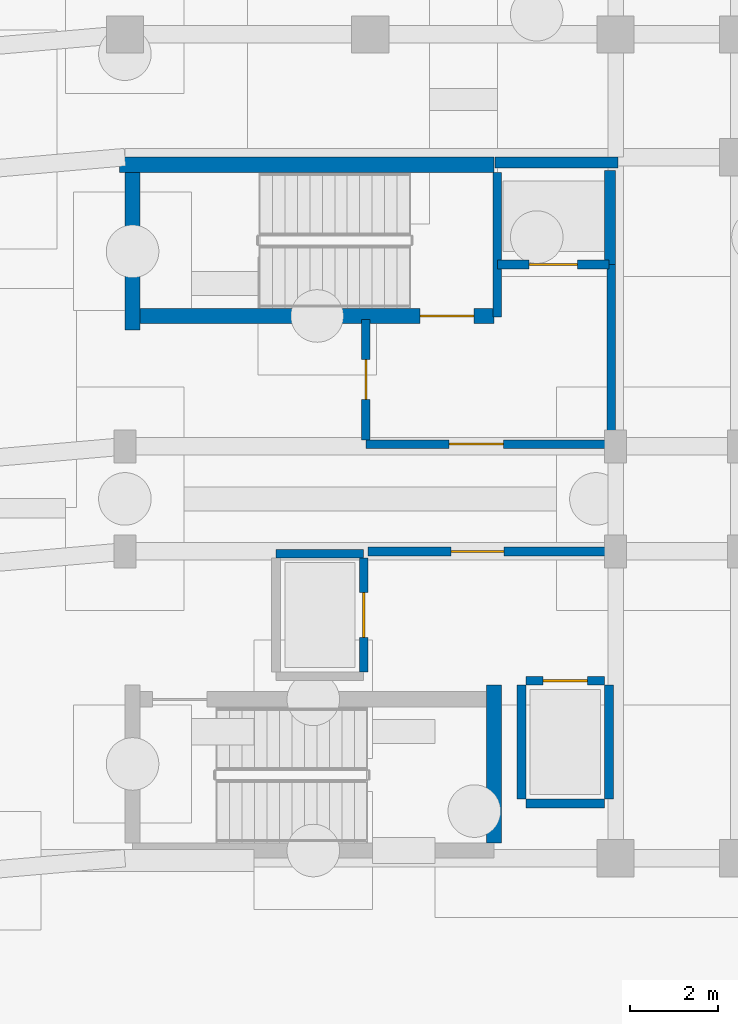
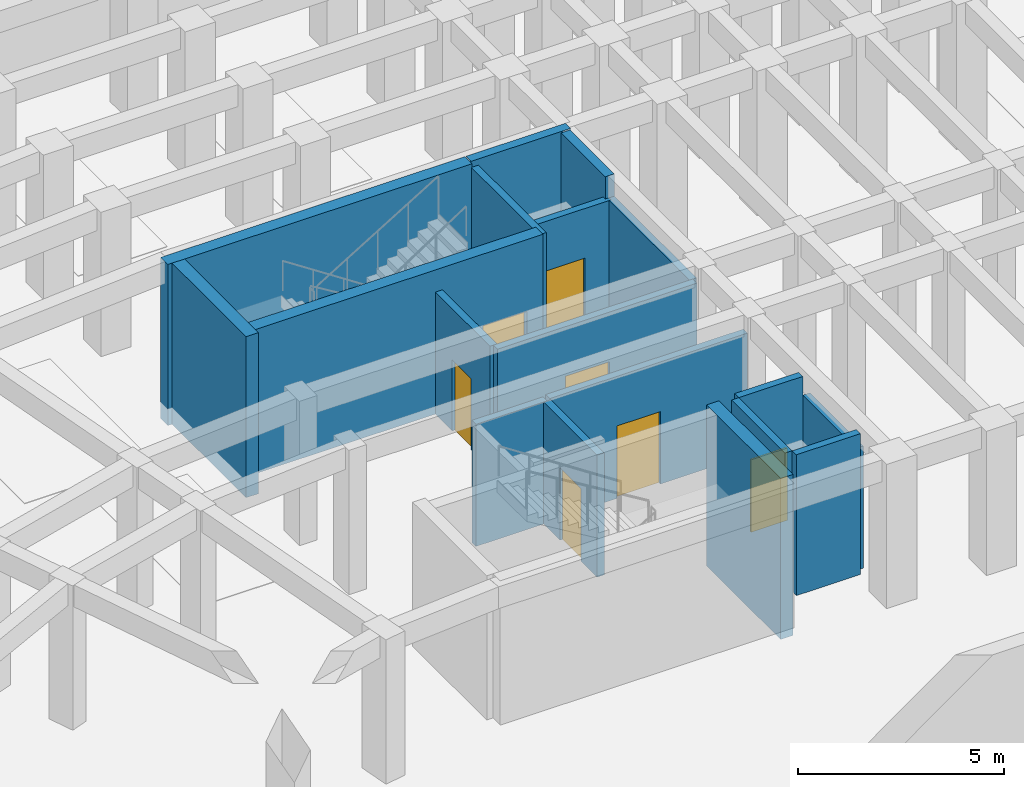
# One storey, part 34 of 53: 18 walls, 7 doors, 7 openings.
"""IFC4 building model written with IfcOpenShell, lengths in metres."""

import ifcopenshell
import ifcopenshell.guid

model = None  # the IFC model being written
_history = None  # IfcOwnerHistory: only IFC2X3 demands one
_inside = {}  # id of a spatial element -> (the spatial element, [elements in it])
_under = {}  # id of a project, library or spatial element -> (it, [spatial elements below it])
_declared = {}  # id of a project -> (the project, [libraries it declares])
_typed = {}  # id of a type object -> (the type object, [elements of that type])
_made_of = {}  # id of a material, layer set ... -> (it, [elements and type objects made of it])


def new_model(schema):
    """Start an empty IFC model of exactly this schema.

    Asked for "IFC4X3", IfcOpenShell would pick the latest addendum, in which some entities
    have other attributes; the version numbers below select the first issue.
    IFC2X3 requires an IfcOwnerHistory on every rooted entity: one is made here for all.
    """
    global model, _history
    if schema == "IFC4X3":
        model = ifcopenshell.file(schema_version=(4, 3, 0, 0))
    else:
        model = ifcopenshell.file(schema=schema)
    _inside.clear()
    _under.clear()
    _declared.clear()
    _typed.clear()
    _made_of.clear()
    _history = None
    if model.schema == "IFC2X3":
        org = make("IfcOrganization", Name="unknown")
        user = make(
            "IfcPersonAndOrganization",
            ThePerson=make("IfcPerson", FamilyName="unknown"),
            TheOrganization=org,
        )
        app = make(
            "IfcApplication",
            ApplicationDeveloper=org,
            Version="unknown",
            ApplicationFullName="unknown",
            ApplicationIdentifier="unknown",
        )
        _history = make(
            "IfcOwnerHistory",
            OwningUser=user,
            OwningApplication=app,
            ChangeAction="ADDED",
            CreationDate=0,
        )
    return model


def make(cls, **values):
    """One entity of the class cls with the attributes given. An attribute that is None is left unset."""
    return model.create_entity(
        cls, **{name: value for name, value in values.items() if value is not None}
    )


def rooted(cls, **values):
    """An entity with a GlobalId (a new one), such as an element, a storey or a relation."""
    return make(cls, GlobalId=ifcopenshell.guid.new(), OwnerHistory=_history, **values)


def si_unit(unit_type, name, prefix=None):
    """IfcSIUnit, for example si_unit("LENGTHUNIT", "METRE", prefix="MILLI")."""
    return make("IfcSIUnit", UnitType=unit_type, Prefix=prefix, Name=name)


def assignment(units):
    """IfcUnitAssignment: the units of a project."""
    return None if units is None else make("IfcUnitAssignment", Units=units)


def point(xyz):
    """IfcCartesianPoint."""
    return None if xyz is None else make("IfcCartesianPoint", Coordinates=xyz)


def direction(xyz):
    """IfcDirection."""
    return None if xyz is None else make("IfcDirection", DirectionRatios=xyz)


def frame(location, z_axis=None, x_axis=None):
    """IfcAxis2Placement3D, a coordinate frame: its origin and axes. An axis left out is left unset."""
    return make(
        "IfcAxis2Placement3D",
        Location=point(location),
        Axis=direction(z_axis),
        RefDirection=direction(x_axis),
    )


def frame_2d(location, x_axis=None):
    """IfcAxis2Placement2D, a coordinate frame in the plane: its origin and x axis."""
    return make(
        "IfcAxis2Placement2D", Location=point(location), RefDirection=direction(x_axis)
    )


def origin():
    """The frame at (0, 0, 0) with its axes left unset."""
    return frame((0.0, 0.0, 0.0))


def place(relative_to, where):
    """IfcLocalPlacement: puts the frame where relative to a parent placement (None: the world)."""
    return make(
        "IfcLocalPlacement", PlacementRelTo=relative_to, RelativePlacement=where
    )


def context(
    kind, dimensions, precision=None, world=None, true_north=None, identifier=None
):
    """IfcGeometricRepresentationContext, for example the 3D "Model" context."""
    return make(
        "IfcGeometricRepresentationContext",
        ContextIdentifier=identifier,
        ContextType=kind,
        CoordinateSpaceDimension=dimensions,
        Precision=precision,
        WorldCoordinateSystem=world,
        TrueNorth=true_north,
    )


def subcontext(parent, identifier, kind, view, scale=None):
    """IfcGeometricRepresentationSubContext, for example "Body" below "Model"."""
    return make(
        "IfcGeometricRepresentationSubContext",
        ContextIdentifier=identifier,
        ContextType=kind,
        ParentContext=parent,
        TargetScale=scale,
        TargetView=view,
    )


def project(units=None, contexts=None):
    """IfcProject with its units and contexts."""
    return rooted(
        "IfcProject",
        Name="project",
        RepresentationContexts=contexts,
        UnitsInContext=assignment(units),
    )


def spatial(cls, under=None, at=None, **own):
    """A site, building, storey or space (cls), placed at a placement, below another one or the project."""
    s = rooted(cls, ObjectPlacement=at, **own)
    if under is not None:
        _under.setdefault(under.id(), (under, []))[1].append(s)
    return s


def profile(cls, at=None, kind="AREA", **sizes):
    """A parametric profile (cls). Its sizes go by their IFC names, for example OverallWidth=200.0."""
    return make(cls, ProfileType=kind, Position=at, **sizes)


def rectangle(**sizes):
    """IfcRectangleProfileDef."""
    return profile("IfcRectangleProfileDef", **sizes)


def extrude(swept, where, along, depth):
    """IfcExtrudedAreaSolid: the profile swept, set in the frame where, extruded along a direction by depth."""
    return make(
        "IfcExtrudedAreaSolid",
        SweptArea=swept,
        Position=where,
        ExtrudedDirection=direction(along),
        Depth=depth,
    )


def shape(context_of_items, identifier, shape_type, items):
    """IfcShapeRepresentation: the items that make up one representation, for example the "Body"."""
    return make(
        "IfcShapeRepresentation",
        ContextOfItems=context_of_items,
        RepresentationIdentifier=identifier,
        RepresentationType=shape_type,
        Items=items,
    )


def material(Name=None, Category=None):
    """IfcMaterial."""
    return make("IfcMaterial", Name=Name, Category=Category)


def layer(
    of_material, thickness, ventilated=None, Name=None, Category=None, Priority=None
):
    """IfcMaterialLayer: one layer of a wall or slab, of a material (None: an air gap)."""
    return make(
        "IfcMaterialLayer",
        Material=of_material,
        LayerThickness=thickness,
        IsVentilated=ventilated,
        Name=Name,
        Category=Category,
        Priority=Priority,
    )


def layer_set(layers, Name=None):
    """IfcMaterialLayerSet."""
    return make("IfcMaterialLayerSet", MaterialLayers=layers, LayerSetName=Name)


def made_of(thing, what):
    """Note that an element or type object is made of a material, layer set ...; save() writes the relation."""
    if what is not None:
        _made_of.setdefault(what.id(), (what, []))[1].append(thing)
    return thing


def type_object(cls, material=None, **own):
    """A type object (cls), such as IfcWallType, which elements share."""
    return made_of(rooted(cls, **own), material)


def element(
    cls,
    number,
    at=None,
    inside=None,
    cuts=None,
    type_object=None,
    material=None,
    context=None,
    identifier="Body",
    shape_type=None,
    held_by="IfcProductDefinitionShape",
    body=None,
    shapes=None,
    **own,
):
    """One element of the class cls, such as IfcWall. Its Tag is "e" and its number.

    at: its placement. inside: the storey or other place that contains it. cuts: it is an
    opening in that element (IfcRelVoidsElement). A single representation is given by context,
    identifier, shape_type and body (its items); several are given by shapes. held_by: the class
    of the entity that holds the representations. save() writes the other relations.
    """
    e = rooted(cls, Tag="e%d" % number, ObjectPlacement=at, **own)
    if body is not None:
        shapes = [shape(context, identifier, shape_type, body)]
    if shapes is not None:
        e.Representation = make(held_by, Representations=shapes)
    if inside is not None:
        _inside.setdefault(inside.id(), (inside, []))[1].append(e)
    if cuts is not None:
        rooted(
            "IfcRelVoidsElement", RelatingBuildingElement=cuts, RelatedOpeningElement=e
        )
    if type_object is not None:
        _typed.setdefault(type_object.id(), (type_object, []))[1].append(e)
    return made_of(e, material)


def fill(opening, filler):
    """IfcRelFillsElement: the door or window that sits in an opening."""
    return rooted(
        "IfcRelFillsElement",
        RelatingOpeningElement=opening,
        RelatedBuildingElement=filler,
    )


def aggregate(whole, parts):
    """IfcRelAggregates: a whole, such as a stair, and the parts it consists of."""
    return rooted("IfcRelAggregates", RelatingObject=whole, RelatedObjects=parts)


def save(model, path):
    """Write the relations noted so far, then the file.

    IfcRelAggregates (storeys below a building ...), IfcRelContainedInSpatialStructure (elements
    in a storey), IfcRelDefinesByType, IfcRelAssociatesMaterial and IfcRelDeclares: one each for
    every whole, place, type object, material and project.
    """
    for whole, parts in _under.values():
        aggregate(whole, parts)
    for where, things in _inside.values():
        rooted(
            "IfcRelContainedInSpatialStructure",
            RelatedElements=things,
            RelatingStructure=where,
        )
    for kind, things in _typed.values():
        rooted("IfcRelDefinesByType", RelatedObjects=things, RelatingType=kind)
    for what, things in _made_of.values():
        rooted("IfcRelAssociatesMaterial", RelatedObjects=things, RelatingMaterial=what)
    for by, libraries in _declared.values():
        rooted("IfcRelDeclares", RelatingContext=by, RelatedDefinitions=libraries)
    model.write(path)


model = new_model("IFC4")

# Units and contexts
model_context = context("Model", 3, precision=1e-05, world=origin(), true_north=direction((0.0, 1.0)))
body_context = subcontext(model_context, "Body", "Model", "MODEL_VIEW")
ifc_project = project(units=[si_unit("LENGTHUNIT", "METRE"), si_unit("AREAUNIT", "SQUARE_METRE"), si_unit("VOLUMEUNIT", "CUBIC_METRE"), si_unit("PLANEANGLEUNIT", "RADIAN"), si_unit("MASSUNIT", "GRAM", prefix="KILO")], contexts=[model_context])

# Site, building, storey
site_placement = place(None, origin())
site = spatial("IfcSite", under=ifc_project, at=site_placement, CompositionType="ELEMENT")
building_placement = place(site_placement, origin())
building = spatial("IfcBuilding", under=site, at=building_placement, Name="Kiranvali Square Residences", CompositionType="ELEMENT")
storey_placement = place(building_placement, frame((0.0, 0.0, -4.5)))
storey = spatial("IfcBuildingStorey", under=building, at=storey_placement, Name="B1", CompositionType="ELEMENT", Elevation=-4.5)

# Wall, opening, door
ifc_material_1 = material(Name="Autoclaved aerated concrete blockwork masonry", Category="masonry")
ifc_layer_1 = layer(ifc_material_1, 0.199951171875)
ifc_layer_set_1 = layer_set([ifc_layer_1], Name="Autoclaved aerated concrete blockwork masonry")
wall_type_1 = type_object("IfcWallType", Name="WL-COR-200", PredefinedType="STANDARD", material=ifc_layer_set_1)
wall_1_placement = place(storey_placement, frame((53.75, 113.60009765625, 0.0), z_axis=(0.0, 0.0, 1.0), x_axis=(1.0, 0.0, 0.0)))
wall_1 = element("IfcWall", 1, at=wall_1_placement, inside=storey, type_object=wall_type_1, Name="B1 architectural wall WL-B1-A-LL-COR", PredefinedType="STANDARD", context=body_context, shape_type="SweptSolid", body=[
    extrude(rectangle(XDim=5.550048828125, YDim=0.199951171875, at=frame_2d((2.77490234375, 0.0))), origin(), (0.0, 0.0, 1.0), 3.6220703125),
])
opening_1_placement = place(wall_1_placement, frame((1.887451171875, 0.0, 0.0)))
opening_1 = element("IfcOpeningElement", 2, at=opening_1_placement, cuts=wall_1, Name="Opening FD-COR-60", PredefinedType="OPENING", context=body_context, shape_type="SweptSolid", body=[
    extrude(rectangle(XDim=1.219970703125, YDim=2.14990234375, at=frame_2d((0.60986328125, 1.074951171875))), frame((0.0, 0.10986328125, 0.0), z_axis=(0.0, -1.0, 0.0), x_axis=(1.0, 0.0, 0.0)), (0.0, 0.0, 1.0), 0.219970703125),
])
ifc_material_2 = material(Name="Fire-rated acoustic hardwood and mineral-core door assembly", Category="wood")
door_type_1 = type_object("IfcDoorType", Name="DR-FD60-1200", OperationType="NOTDEFINED", PredefinedType="DOOR", material=ifc_material_2)
door_1_placement = place(opening_1_placement, origin())
door_1 = element("IfcDoor", 3, at=door_1_placement, inside=storey, type_object=door_type_1, Name="B1 door DR-B1-0009 (DR-FD60-1200)", OperationType="SINGLE_SWING_LEFT", OverallHeight=2.14990234375, OverallWidth=1.219970703125, PredefinedType="DOOR", context=body_context, shape_type="SweptSolid", body=[
    extrude(rectangle(XDim=1.219970703125, YDim=2.14990234375, at=frame_2d((0.60986328125, 1.074951171875))), frame((0.0, 0.02490234375, 0.0), z_axis=(0.0, -1.0, 0.0), x_axis=(1.0, 0.0, 0.0)), (0.0, 0.0, 1.0), 0.050048828125),
])
fill(opening_1, door_1)

ifc_layer_2 = layer(ifc_material_1, 0.199951171875)
ifc_layer_set_2 = layer_set([ifc_layer_2], Name="Autoclaved aerated concrete blockwork masonry")
wall_type_2 = type_object("IfcWallType", Name="WL-FFL-200", PredefinedType="STANDARD", material=ifc_layer_set_2)
wall_2_placement = place(storey_placement, frame((53.699951171875, 116.050048828125, 0.0), z_axis=(0.0, 0.0, 1.0), x_axis=(1.0, 0.0, 0.0)))
wall_2 = element("IfcWall", 4, at=wall_2_placement, inside=storey, type_object=wall_type_2, Name="B1 architectural wall WL-B1-A-FF-COR", PredefinedType="STANDARD", context=body_context, shape_type="SweptSolid", body=[
    extrude(rectangle(XDim=5.60009765625, YDim=0.199951171875, at=frame_2d((2.800048828125, 0.0))), origin(), (0.0, 0.0, 1.0), 3.6220703125),
])
opening_2_placement = place(wall_2_placement, frame((1.89990234375, 0.0, 0.0)))
opening_2 = element("IfcOpeningElement", 5, at=opening_2_placement, cuts=wall_2, Name="Opening FD-ST-120", PredefinedType="OPENING", context=body_context, shape_type="SweptSolid", body=[
    extrude(rectangle(XDim=1.239990234375, YDim=2.14990234375, at=frame_2d((0.6201171875, 1.074951171875))), frame((0.0, 0.10986328125, 0.0), z_axis=(0.0, -1.0, 0.0), x_axis=(1.0, 0.0, 0.0)), (0.0, 0.0, 1.0), 0.219970703125),
])
door_type_2 = type_object("IfcDoorType", Name="DR-FD120-1200", OperationType="NOTDEFINED", PredefinedType="DOOR", material=ifc_material_2)
door_2_placement = place(opening_2_placement, origin())
door_2 = element("IfcDoor", 6, at=door_2_placement, inside=storey, type_object=door_type_2, Name="B1 door DR-B1-0001 (DR-FD120-1200)", OperationType="SINGLE_SWING_LEFT", OverallHeight=2.14990234375, OverallWidth=1.239990234375, PredefinedType="DOOR", context=body_context, shape_type="SweptSolid", body=[
    extrude(rectangle(XDim=1.239990234375, YDim=2.14990234375, at=frame_2d((0.6201171875, 1.074951171875))), frame((0.0, 0.02490234375, 0.0), z_axis=(0.0, -1.0, 0.0), x_axis=(1.0, 0.0, 0.0)), (0.0, 0.0, 1.0), 0.050048828125),
])
fill(opening_2, door_2)

wall_3_placement = place(storey_placement, frame((53.699951171875, 116.14990234375, 0.0), z_axis=(0.0, 0.0, 1.0), x_axis=(0.0, 1.0, 0.0)))
wall_3 = element("IfcWall", 7, at=wall_3_placement, inside=storey, type_object=wall_type_2, Name="B1 architectural wall WL-B1-A-FF-DIV", PredefinedType="STANDARD", context=body_context, shape_type="SweptSolid", body=[
    extrude(rectangle(XDim=2.75, YDim=0.199951171875, at=frame_2d((1.375, 0.0))), origin(), (0.0, 0.0, 1.0), 3.6220703125),
])
opening_3_placement = place(wall_3_placement, frame((0.9150390625, 0.0, 0.0)))
opening_3 = element("IfcOpeningElement", 8, at=opening_3_placement, cuts=wall_3, Name="Opening FD-SVC-120", PredefinedType="OPENING", context=body_context, shape_type="SweptSolid", body=[
    extrude(rectangle(XDim=0.919921875, YDim=2.10009765625, at=frame_2d((0.4599609375, 1.050048828125))), frame((0.0, 0.10986328125, 0.0), z_axis=(0.0, -1.0, 0.0), x_axis=(1.0, 0.0, 0.0)), (0.0, 0.0, 1.0), 0.219970703125),
])
door_type_3 = type_object("IfcDoorType", Name="DR-SVC-900", OperationType="NOTDEFINED", PredefinedType="DOOR", material=ifc_material_2)
door_3_placement = place(opening_3_placement, frame((0.919921875, 0.0, 0.0), z_axis=(0.0, 0.0, 1.0), x_axis=(-1.0, 0.0, 0.0)))
door_3 = element("IfcDoor", 9, at=door_3_placement, inside=storey, type_object=door_type_3, Name="B1 door DR-B1-0002 (DR-SVC-900)", OperationType="SINGLE_SWING_RIGHT", OverallHeight=2.10009765625, OverallWidth=0.919921875, PredefinedType="DOOR", context=body_context, shape_type="SweptSolid", body=[
    extrude(rectangle(XDim=0.919921875, YDim=2.10009765625, at=frame_2d((0.4599609375, 1.050048828125))), frame((0.0, 0.02490234375, 0.0), z_axis=(0.0, -1.0, 0.0), x_axis=(1.0, 0.0, 0.0)), (0.0, 0.0, 1.0), 0.050048828125),
])
fill(opening_3, door_3)

# Wall
wall_4_placement = place(storey_placement, frame((59.300048828125, 116.14990234375, 0.0), z_axis=(0.0, 0.0, 1.0), x_axis=(0.0, 1.0, 0.0)))
element("IfcWall", 10, at=wall_4_placement, inside=storey, type_object=wall_type_2, Name="B1 architectural wall WL-B1-A-FF-END", PredefinedType="STANDARD", context=body_context, shape_type="SweptSolid", body=[
    extrude(rectangle(XDim=4.0, YDim=0.199951171875, at=frame_2d((2.0, 0.0))), origin(), (0.0, 0.0, 1.0), 3.6220703125),
])

# Wall, opening, door
wall_5_placement = place(storey_placement, frame((56.699951171875, 120.14990234375, 0.0), z_axis=(0.0, 0.0, 1.0), x_axis=(1.0, 0.0, 0.0)))
wall_5 = element("IfcWall", 11, at=wall_5_placement, inside=storey, type_object=wall_type_2, Name="B1 architectural wall WL-B1-A-FF-LFT", PredefinedType="STANDARD", context=body_context, shape_type="SweptSolid", body=[
    extrude(rectangle(XDim=2.550048828125, YDim=0.199951171875, at=frame_2d((1.27490234375, 0.0))), origin(), (0.0, 0.0, 1.0), 3.6220703125),
])
opening_4_placement = place(wall_5_placement, frame((0.72509765625, 0.0, 0.0)))
opening_4 = element("IfcOpeningElement", 12, at=opening_4_placement, cuts=wall_5, Name="Opening LD-FF-110", PredefinedType="OPENING", context=body_context, shape_type="SweptSolid", body=[
    extrude(rectangle(XDim=1.10009765625, YDim=2.14990234375, at=frame_2d((0.550048828125, 1.074951171875))), frame((0.0, 0.10986328125, 0.0), z_axis=(0.0, -1.0, 0.0), x_axis=(1.0, 0.0, 0.0)), (0.0, 0.0, 1.0), 0.219970703125),
])
door_type_4 = type_object("IfcDoorType", Name="DR-LIFT-FF-1100", OperationType="SLIDING_TO_LEFT", PredefinedType="DOOR", material=ifc_material_2)
door_4_placement = place(opening_4_placement, origin())
door_4 = element("IfcDoor", 13, at=door_4_placement, inside=storey, type_object=door_type_4, Name="B1 door DR-B1-0003 (DR-LIFT-FF-1100)", OperationType="SLIDING_TO_LEFT", OverallHeight=2.14990234375, OverallWidth=1.10009765625, PredefinedType="DOOR", context=body_context, shape_type="SweptSolid", body=[
    extrude(rectangle(XDim=1.10009765625, YDim=2.14990234375, at=frame_2d((0.550048828125, 1.074951171875))), frame((0.0, 0.02490234375, 0.0), z_axis=(0.0, -1.0, 0.0), x_axis=(1.0, 0.0, 0.0)), (0.0, 0.0, 1.0), 0.050048828125),
])
fill(opening_4, door_4)

# Walls
ifc_layer_3 = layer(ifc_material_1, 0.199951171875)
ifc_layer_set_3 = layer_set([ifc_layer_3], Name="Autoclaved aerated concrete blockwork masonry")
wall_type_3 = type_object("IfcWallType", Name="WL-SHF-200", PredefinedType="STANDARD", material=ifc_layer_set_3)
wall_6_placement = place(storey_placement, frame((56.699951171875, 118.949951171875, 0.0), z_axis=(0.0, 0.0, 1.0), x_axis=(0.0, 1.0, 0.0)))
element("IfcWall", 14, at=wall_6_placement, inside=storey, type_object=wall_type_3, Name="B1 architectural wall WL-B1-A-FF-SHF", PredefinedType="STANDARD", context=body_context, shape_type="SweptSolid", body=[
    extrude(rectangle(XDim=3.300048828125, YDim=0.199951171875, at=frame_2d((1.64990234375, 0.0))), origin(), (0.0, 0.0, 1.0), 4.179931640625),
])
wall_7_placement = place(storey_placement, frame((57.25, 107.949951171875, 0.0), z_axis=(0.0, 0.0, 1.0), x_axis=(0.0, 1.0, 0.0)))
element("IfcWall", 15, at=wall_7_placement, inside=storey, type_object=wall_type_3, Name="B1 architectural wall WL-B1-A-LP1-S1", PredefinedType="STANDARD", context=body_context, shape_type="SweptSolid", body=[
    extrude(rectangle(XDim=2.60009765625, YDim=0.199951171875, at=frame_2d((1.300048828125, 0.0))), origin(), (0.0, 0.0, 1.0), 4.179931640625),
])
wall_8_placement = place(storey_placement, frame((59.25, 107.949951171875, 0.0), z_axis=(0.0, 0.0, 1.0), x_axis=(0.0, 1.0, 0.0)))
element("IfcWall", 16, at=wall_8_placement, inside=storey, type_object=wall_type_3, Name="B1 architectural wall WL-B1-A-LP1-B", PredefinedType="STANDARD", context=body_context, shape_type="SweptSolid", body=[
    extrude(rectangle(XDim=2.60009765625, YDim=0.199951171875, at=frame_2d((1.300048828125, 0.0))), origin(), (0.0, 0.0, 1.0), 3.6220703125),
])
wall_9_placement = place(storey_placement, frame((57.35009765625, 107.85009765625, 0.0), z_axis=(0.0, 0.0, 1.0), x_axis=(1.0, 0.0, 0.0)))
element("IfcWall", 17, at=wall_9_placement, inside=storey, type_object=wall_type_3, Name="B1 architectural wall WL-B1-A-LP1-S2", PredefinedType="STANDARD", context=body_context, shape_type="SweptSolid", body=[
    extrude(rectangle(XDim=1.7998046875, YDim=0.199951171875, at=frame_2d((0.89990234375, 0.0))), origin(), (0.0, 0.0, 1.0), 4.179931640625),
])

# Wall, opening, door
wall_10_placement = place(storey_placement, frame((57.35009765625, 110.64990234375, 0.0), z_axis=(0.0, 0.0, 1.0), x_axis=(1.0, 0.0, 0.0)))
wall_10 = element("IfcWall", 18, at=wall_10_placement, inside=storey, type_object=wall_type_3, Name="B1 architectural wall WL-B1-A-LP1-F", PredefinedType="STANDARD", context=body_context, shape_type="SweptSolid", body=[
    extrude(rectangle(XDim=1.7998046875, YDim=0.199951171875, at=frame_2d((0.89990234375, 0.0))), origin(), (0.0, 0.0, 1.0), 4.179931640625),
])
opening_5_placement = place(wall_10_placement, frame((0.389892578125, 0.0, 0.0)))
opening_5 = element("IfcOpeningElement", 19, at=opening_5_placement, cuts=wall_10, Name="Opening LD-PAX-100", PredefinedType="OPENING", context=body_context, shape_type="SweptSolid", body=[
    extrude(rectangle(XDim=1.02001953125, YDim=2.14990234375, at=frame_2d((0.510009765625, 1.074951171875))), frame((0.0, 0.10986328125, 0.0), z_axis=(0.0, -1.0, 0.0), x_axis=(1.0, 0.0, 0.0)), (0.0, 0.0, 1.0), 0.219970703125),
])
door_type_5 = type_object("IfcDoorType", Name="DR-LIFT-1000", OperationType="SLIDING_TO_RIGHT", PredefinedType="DOOR", material=ifc_material_2)
door_5_placement = place(opening_5_placement, origin())
door_5 = element("IfcDoor", 20, at=door_5_placement, inside=storey, type_object=door_type_5, Name="B1 door DR-B1-0007 (DR-LIFT-1000)", OperationType="SLIDING_TO_RIGHT", OverallHeight=2.14990234375, OverallWidth=1.02001953125, PredefinedType="DOOR", context=body_context, shape_type="SweptSolid", body=[
    extrude(rectangle(XDim=1.02001953125, YDim=2.14990234375, at=frame_2d((0.510009765625, 1.074951171875))), frame((0.0, 0.02490234375, 0.0), z_axis=(0.0, -1.0, 0.0), x_axis=(1.0, 0.0, 0.0)), (0.0, 0.0, 1.0), 0.050048828125),
])
fill(opening_5, door_5)

# Wall
wall_11_placement = place(storey_placement, frame((51.64990234375, 113.550048828125, 0.0), z_axis=(0.0, 0.0, 1.0), x_axis=(1.0, 0.0, 0.0)))
element("IfcWall", 21, at=wall_11_placement, inside=storey, type_object=wall_type_3, Name="B1 architectural wall WL-B1-A-LP2-B", PredefinedType="STANDARD", context=body_context, shape_type="SweptSolid", body=[
    extrude(rectangle(XDim=2.0, YDim=0.199951171875, at=frame_2d((1.0, 0.0))), origin(), (0.0, 0.0, 1.0), 3.6220703125),
])

# Wall, opening, door
wall_12_placement = place(storey_placement, frame((53.64990234375, 110.85009765625, 0.0), z_axis=(0.0, 0.0, 1.0), x_axis=(0.0, 1.0, 0.0)))
wall_12 = element("IfcWall", 22, at=wall_12_placement, inside=storey, type_object=wall_type_3, Name="B1 architectural wall WL-B1-A-LP2-F", PredefinedType="STANDARD", context=body_context, shape_type="SweptSolid", body=[
    extrude(rectangle(XDim=2.599853515625, YDim=0.199951171875, at=frame_2d((1.2998046875, 0.0))), origin(), (0.0, 0.0, 1.0), 3.6220703125),
])
opening_6_placement = place(wall_12_placement, frame((0.7900390625, 0.0, 0.0)))
opening_6 = element("IfcOpeningElement", 23, at=opening_6_placement, cuts=wall_12, Name="Opening LD-PAX-100", PredefinedType="OPENING", context=body_context, shape_type="SweptSolid", body=[
    extrude(rectangle(XDim=1.02001953125, YDim=2.14990234375, at=frame_2d((0.510009765625, 1.074951171875))), frame((0.0, 0.10986328125, 0.0), z_axis=(0.0, -1.0, 0.0), x_axis=(1.0, 0.0, 0.0)), (0.0, 0.0, 1.0), 0.219970703125),
])
door_6_placement = place(opening_6_placement, origin())
door_6 = element("IfcDoor", 24, at=door_6_placement, inside=storey, type_object=door_type_5, Name="B1 door DR-B1-0008 (DR-LIFT-1000)", OperationType="SLIDING_TO_RIGHT", OverallHeight=2.14990234375, OverallWidth=1.02001953125, PredefinedType="DOOR", context=body_context, shape_type="SweptSolid", body=[
    extrude(rectangle(XDim=1.02001953125, YDim=2.14990234375, at=frame_2d((0.510009765625, 1.074951171875))), frame((0.0, 0.02490234375, 0.0), z_axis=(0.0, -1.0, 0.0), x_axis=(1.0, 0.0, 0.0)), (0.0, 0.0, 1.0), 0.050048828125),
])
fill(opening_6, door_6)

# Walls
ifc_material_3 = material(Name="Concrete M45 (45 MPa)", Category="concrete")
ifc_layer_4 = layer(ifc_material_3, 0.25)
ifc_layer_set_4 = layer_set([ifc_layer_4], Name="Concrete M45 (45 MPa)")
wall_type_4 = type_object("IfcWallType", Name="WL-SHR-250", PredefinedType="SHEAR", material=ifc_layer_set_4)
wall_13_placement = place(storey_placement, frame((56.64990234375, 122.47509765625, -0.5), z_axis=(0.0, 0.0, 1.0), x_axis=(1.0, 0.0, 0.0)))
element("IfcWall", 25, at=wall_13_placement, inside=storey, type_object=wall_type_4, Name="Block A core shear wall SW-AFF-BK-B1", PredefinedType="SHEAR", context=body_context, shape_type="SweptSolid", body=[
    extrude(rectangle(XDim=2.800048828125, YDim=0.25, at=frame_2d((1.39990234375, 0.0))), origin(), (0.0, 0.0, 1.0), 4.780029296875),
])
wall_14_placement = place(storey_placement, frame((59.27490234375, 120.14990234375, -0.5), z_axis=(0.0, 0.0, 1.0), x_axis=(0.0, 1.0, 0.0)))
element("IfcWall", 26, at=wall_14_placement, inside=storey, type_object=wall_type_4, Name="Block A core shear wall SW-AFF-SD-B1", PredefinedType="SHEAR", context=body_context, shape_type="SweptSolid", body=[
    extrude(rectangle(XDim=2.150146484375, YDim=0.25, at=frame_2d((1.0751953125, 0.0))), origin(), (0.0, 0.0, 1.0), 4.780029296875),
])
ifc_material_4 = material(Name="Concrete M50 (50 MPa)", Category="concrete")
ifc_layer_5 = layer(ifc_material_4, 0.35009765625)
ifc_layer_set_5 = layer_set([ifc_layer_5], Name="Concrete M50 (50 MPa)")
wall_type_5 = type_object("IfcWallType", Name="WL-SHR-350", PredefinedType="SHEAR", material=ifc_layer_set_5)
wall_15_placement = place(storey_placement, frame((48.080078125, 122.425048828125, -0.5), z_axis=(0.0, 0.0, 1.0), x_axis=(1.0, 0.0, 0.0)))
element("IfcWall", 27, at=wall_15_placement, inside=storey, type_object=wall_type_5, Name="Block A core shear wall SW-A1-OUT-B1", PredefinedType="SHEAR", context=body_context, shape_type="SweptSolid", body=[
    extrude(rectangle(XDim=8.544921875, YDim=0.35009765625, at=frame_2d((4.2724609375, 0.0))), origin(), (0.0, 0.0, 1.0), 4.780029296875),
])

# Wall, opening, door
wall_16_placement = place(storey_placement, frame((48.550048828125, 118.97509765625, 0.0), z_axis=(0.0, 0.0, 1.0), x_axis=(1.0, 0.0, 0.0)))
wall_16 = element("IfcWall", 28, at=wall_16_placement, inside=storey, type_object=wall_type_5, Name="Block A core shear wall SW-A1-IN-B1", PredefinedType="SHEAR", context=body_context, shape_type="SweptSolid", body=[
    extrude(rectangle(XDim=8.074951171875, YDim=0.35009765625, at=frame_2d((4.03759765625, 0.0))), origin(), (0.0, 0.0, 1.0), 4.280029296875),
])
opening_7_placement = place(wall_16_placement, frame((6.3798828125, 0.0, 0.0)))
opening_7 = element("IfcOpeningElement", 29, at=opening_7_placement, cuts=wall_16, Name="Opening FD-ST-120", PredefinedType="OPENING", context=body_context, shape_type="SweptSolid", body=[
    extrude(rectangle(XDim=1.239990234375, YDim=2.14990234375, at=frame_2d((0.6201171875, 1.074951171875))), frame((0.0, 0.18505859375, 0.0), z_axis=(0.0, -1.0, 0.0), x_axis=(1.0, 0.0, 0.0)), (0.0, 0.0, 1.0), 0.3701171875),
])
door_7_placement = place(opening_7_placement, origin())
door_7 = element("IfcDoor", 30, at=door_7_placement, inside=storey, type_object=door_type_2, Name="B1 door DR-B1-0004 (DR-FD120-1200)", OperationType="SINGLE_SWING_RIGHT", OverallHeight=2.14990234375, OverallWidth=1.239990234375, PredefinedType="DOOR", context=body_context, shape_type="SweptSolid", body=[
    extrude(rectangle(XDim=1.239990234375, YDim=2.14990234375, at=frame_2d((0.6201171875, 1.074951171875))), frame((0.0, 0.02490234375, 0.0), z_axis=(0.0, -1.0, 0.0), x_axis=(1.0, 0.0, 0.0)), (0.0, 0.0, 1.0), 0.050048828125),
])
fill(opening_7, door_7)

# Walls
for number, where, z_axis, x_axis, name in (
    (31, (48.375, 118.64990234375, -0.5), (0.0, 0.0, 1.0), (0.0, 1.0, 0.0), "Block A core shear wall SW-A1-FAR-B1"),
    (32, (56.625, 106.949951171875, -0.5), (0.0, 0.0, 1.0), (0.0, 1.0, 0.0), "Block A core shear wall SW-A2-FAR-B1"),
):
    element("IfcWall", number, at=place(storey_placement, frame(where, z_axis=z_axis, x_axis=x_axis)), inside=storey, type_object=wall_type_5, Name=name, PredefinedType="SHEAR", context=body_context, shape_type="SweptSolid", body=[
        extrude(rectangle(XDim=3.60009765625, YDim=0.35009765625, at=frame_2d((1.800048828125, 0.0))), origin(), (0.0, 0.0, 1.0), 4.780029296875),
    ])

save(model, "model.ifc")
